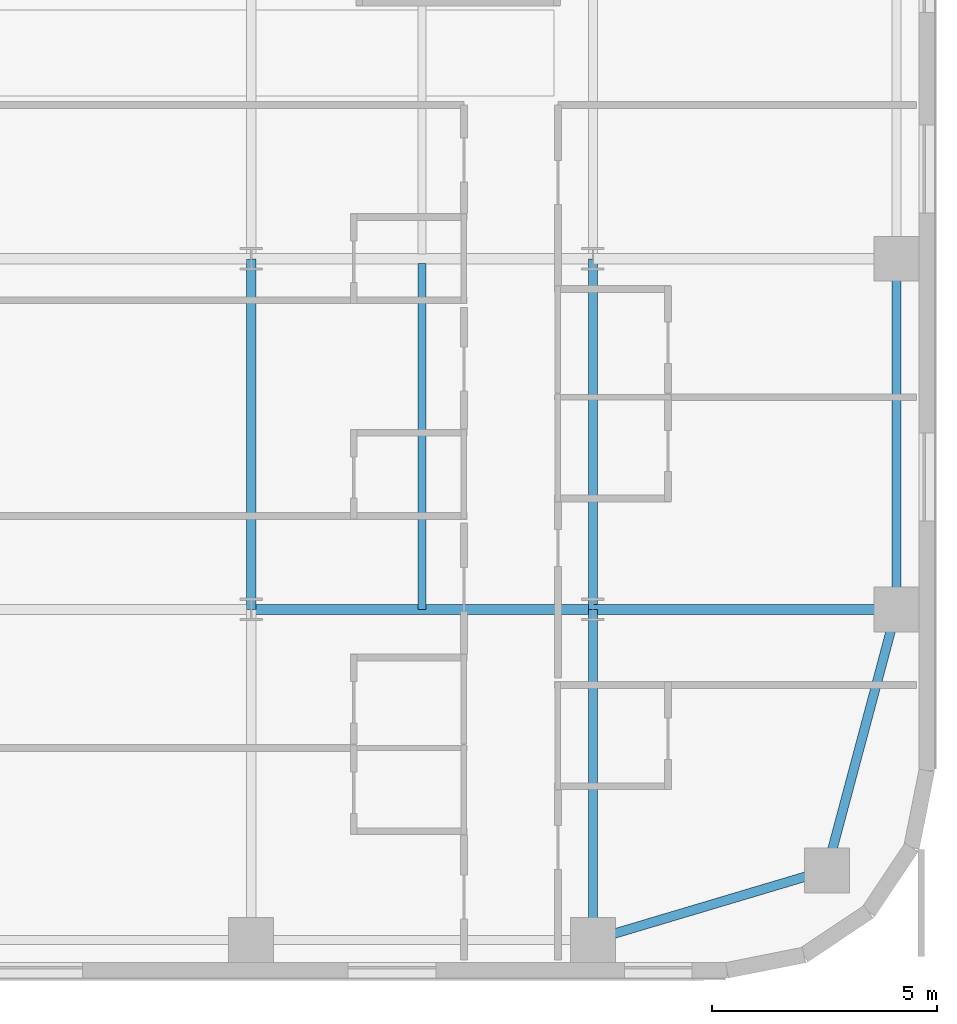
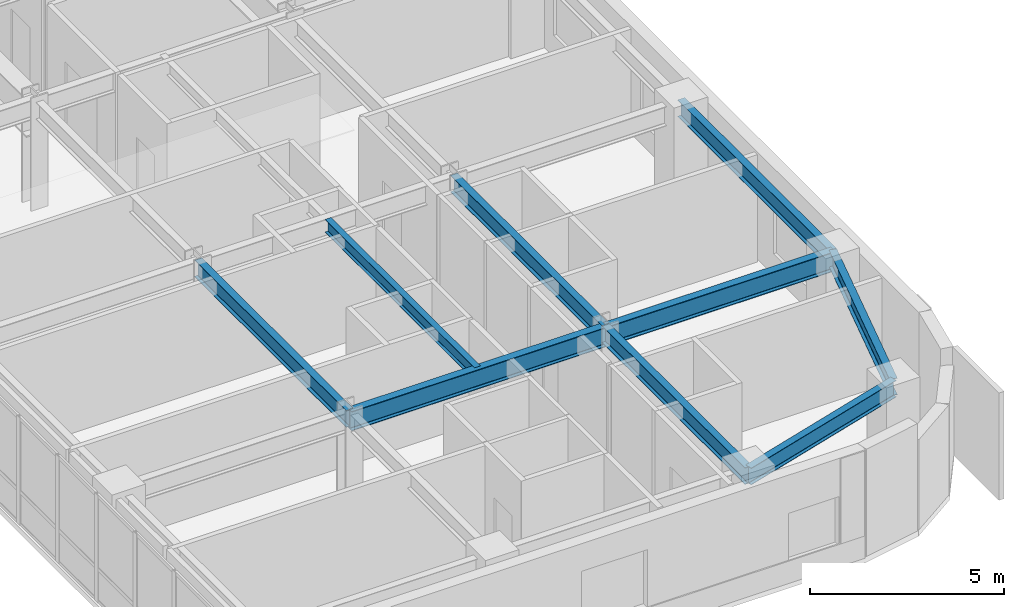
# One storey, part 10 of 25: 9 beams.
"""IFC4 building model written with IfcOpenShell, lengths in metres."""

from ifc_helpers import new_model, si_unit, direction, frame, origin, origin_2d, place, context, subcontext, project, spatial, i_section, extrude, source, transform, mapped, material, material_profile, profile_set, type_object, type_shapes, element, save


model = new_model("IFC4")

# Units and contexts
model_context = context("Model", 3, precision=1e-05, world=origin(), true_north=direction((0.0, 1.0)))
body_context = subcontext(model_context, "Body", "Model", "MODEL_VIEW")
ifc_project = project(units=[si_unit("LENGTHUNIT", "METRE"), si_unit("AREAUNIT", "SQUARE_METRE"), si_unit("VOLUMEUNIT", "CUBIC_METRE"), si_unit("PLANEANGLEUNIT", "RADIAN"), si_unit("MASSUNIT", "GRAM", prefix="KILO")], contexts=[model_context])

# Site, building, storey
site_placement = place(None, origin())
site = spatial("IfcSite", under=ifc_project, at=site_placement, CompositionType="ELEMENT")
building_placement = place(site_placement, origin())
building = spatial("IfcBuilding", under=site, at=building_placement, Name="Tolvann Quenvar Hotel", CompositionType="ELEMENT")
storey_placement = place(building_placement, frame((0.0, 0.0, 46.199951171875)))
storey = spatial("IfcBuildingStorey", under=building, at=storey_placement, Name="L10", CompositionType="ELEMENT", Elevation=46.199951171875)

# Beams
ifc_material = material(Name="Steel Grade 350", Category="steel")
ifc_material_profile_1 = material_profile(ifc_material, i_section(OverallWidth=0.208984375, OverallDepth=0.528076171875, WebThickness=0.009521484375, FlangeThickness=0.01318359375, FilletRadius=0.013916015625, at=origin_2d()), Name="530UB82")
ifc_profile_set_1 = profile_set([ifc_material_profile_1], Name="Steel Grade 350")
beam_type_1 = type_object("IfcBeamType", Name="BM_SPAND_530UB82", PredefinedType="SPANDREL", material=ifc_profile_set_1)
shared_shape_1 = source(origin(), body_context, "Body", "SweptSolid", [
    extrude(i_section(OverallWidth=0.208984375, OverallDepth=0.528076171875, WebThickness=0.009521484375, FlangeThickness=0.01318359375, FilletRadius=0.013916015625, at=origin_2d()), origin(), (0.0, 0.0, 1.0), 5.42626953125),
])
beam_1_placement = place(storey_placement, frame((49.39990234375, 0.85009765625, 3.10595703125), z_axis=(0.958344815522, 0.285613750654, 0.0), x_axis=(-0.285613750654, 0.958344815522, 0.0)))
element("IfcBeam", 1, at=beam_1_placement, inside=storey, type_object=beam_type_1, Name="BM-L10-EW-2-I2-J2", PredefinedType="SPANDREL", context=body_context, shape_type="MappedRepresentation", body=[
    mapped(shared_shape_1, transform((0.0, 0.0, 0.0), x_axis=(1.0, 0.0, 0.0), y_axis=(0.0, 1.0, 0.0), z_axis=(0.0, 0.0, 1.0), scale=1.0)),
])
ifc_material_profile_2 = material_profile(ifc_material, i_section(OverallWidth=0.22900390625, OverallDepth=0.612060546875, WebThickness=0.011962890625, FlangeThickness=0.01953125, FilletRadius=0.013916015625, at=origin_2d()), Name="610UB125")
ifc_profile_set_2 = profile_set([ifc_material_profile_2], Name="Steel Grade 350")
beam_type_2 = type_object("IfcBeamType", Name="BM_GIRD_610UB125", PredefinedType="BEAM", material=ifc_profile_set_2)
shared_shape_2 = source(origin(), body_context, "Body", "SweptSolid", [
    extrude(i_section(OverallWidth=0.22900390625, OverallDepth=0.612060546875, WebThickness=0.011962890625, FlangeThickness=0.01953125, FilletRadius=0.013916015625, at=origin_2d()), origin(), (0.0, 0.0, 1.0), 6.75),
])
beam_2_placement = place(storey_placement, frame((49.39990234375, 8.199951171875, 3.06396484375), z_axis=(1.0, 0.0, 0.0), x_axis=(0.0, 1.0, 0.0)))
element("IfcBeam", 2, at=beam_2_placement, inside=storey, type_object=beam_type_2, Name="BM-L10-EW-3-I3-J3", PredefinedType="BEAM", context=body_context, shape_type="MappedRepresentation", body=[
    mapped(shared_shape_2, transform((0.0, 0.0, 0.0), x_axis=(1.0, 0.0, 0.0), y_axis=(0.0, 1.0, 0.0), z_axis=(0.0, 0.0, 1.0), scale=1.0)),
])
shared_shape_3 = source(origin(), body_context, "Body", "SweptSolid", [
    extrude(i_section(OverallWidth=0.22900390625, OverallDepth=0.612060546875, WebThickness=0.011962890625, FlangeThickness=0.01953125, FilletRadius=0.013916015625, at=origin_2d()), origin(), (0.0, 0.0, 1.0), 7.599853515625),
])
type_shapes(beam_type_2, [shared_shape_2, shared_shape_3])
beam_3_placement = place(storey_placement, frame((41.800048828125, 8.199951171875, 3.06396484375), z_axis=(1.0, 0.0, 0.0), x_axis=(0.0, 1.0, 0.0)))
element("IfcBeam", 3, at=beam_3_placement, inside=storey, type_object=beam_type_2, Name="BM-L10-EW-3-H3-I3", PredefinedType="BEAM", context=body_context, shape_type="MappedRepresentation", body=[
    mapped(shared_shape_3, transform((0.0, 0.0, 0.0), x_axis=(1.0, 0.0, 0.0), y_axis=(0.0, 1.0, 0.0), z_axis=(0.0, 0.0, 1.0), scale=1.0)),
])
shared_shape_4 = source(origin(), body_context, "Body", "SweptSolid", [
    extrude(i_section(OverallWidth=0.208984375, OverallDepth=0.528076171875, WebThickness=0.009521484375, FlangeThickness=0.01318359375, FilletRadius=0.013916015625, at=origin_2d()), origin(), (0.0, 0.0, 1.0), 6.00341796875),
])
beam_4_placement = place(storey_placement, frame((54.60009765625, 2.39990234375, 3.10595703125), z_axis=(0.258148586649, 0.966105225745, 0.0), x_axis=(-0.966105225745, 0.258148586649, 0.0)))
element("IfcBeam", 4, at=beam_4_placement, inside=storey, type_object=beam_type_1, Name="BM-L10-NS-J2-J3", PredefinedType="SPANDREL", context=body_context, shape_type="MappedRepresentation", body=[
    mapped(shared_shape_4, transform((0.0, 0.0, 0.0), x_axis=(1.0, 0.0, 0.0), y_axis=(0.0, 1.0, 0.0), z_axis=(0.0, 0.0, 1.0), scale=1.0)),
])
shared_shape_5 = source(origin(), body_context, "Body", "SweptSolid", [
    extrude(i_section(OverallWidth=0.208984375, OverallDepth=0.528076171875, WebThickness=0.009521484375, FlangeThickness=0.01318359375, FilletRadius=0.013916015625, at=origin_2d()), origin(), (0.0, 0.0, 1.0), 7.800048828125),
])
type_shapes(beam_type_1, [shared_shape_1, shared_shape_4, shared_shape_5])
beam_5_placement = place(storey_placement, frame((56.14990234375, 8.199951171875, 3.10595703125), z_axis=(0.0, 1.0, 0.0), x_axis=(-1.0, 0.0, 0.0)))
element("IfcBeam", 5, at=beam_5_placement, inside=storey, type_object=beam_type_1, Name="BM-L10-NS-J3-J4", PredefinedType="SPANDREL", context=body_context, shape_type="MappedRepresentation", body=[
    mapped(shared_shape_5, transform((0.0, 0.0, 0.0), x_axis=(1.0, 0.0, 0.0), y_axis=(0.0, 1.0, 0.0), z_axis=(0.0, 0.0, 1.0), scale=1.0)),
])
ifc_material_profile_3 = material_profile(ifc_material, i_section(OverallWidth=0.208984375, OverallDepth=0.532958984375, WebThickness=0.01025390625, FlangeThickness=0.015625, FilletRadius=0.013916015625, at=origin_2d()), Name="530UB92")
ifc_profile_set_3 = profile_set([ifc_material_profile_3], Name="Steel Grade 350")
beam_type_3 = type_object("IfcBeamType", Name="BM_GIRD_530UB92", PredefinedType="BEAM", material=ifc_profile_set_3)
shared_shape_6 = source(origin(), body_context, "Body", "SweptSolid", [
    extrude(i_section(OverallWidth=0.208984375, OverallDepth=0.532958984375, WebThickness=0.01025390625, FlangeThickness=0.015625, FilletRadius=0.013916015625, at=origin_2d()), origin(), (0.0, 0.0, 1.0), 7.349853515625),
])
beam_6_placement = place(storey_placement, frame((49.39990234375, 0.85009765625, 3.103515625), z_axis=(0.0, 1.0, 0.0), x_axis=(-1.0, 0.0, 0.0)))
element("IfcBeam", 6, at=beam_6_placement, inside=storey, type_object=beam_type_3, Name="BM-L10-NS-I2-I3", PredefinedType="BEAM", context=body_context, shape_type="MappedRepresentation", body=[
    mapped(shared_shape_6, transform((0.0, 0.0, 0.0), x_axis=(1.0, 0.0, 0.0), y_axis=(0.0, 1.0, 0.0), z_axis=(0.0, 0.0, 1.0), scale=1.0)),
])
shared_shape_7 = source(origin(), body_context, "Body", "SweptSolid", [
    extrude(i_section(OverallWidth=0.208984375, OverallDepth=0.532958984375, WebThickness=0.01025390625, FlangeThickness=0.015625, FilletRadius=0.013916015625, at=origin_2d()), origin(), (0.0, 0.0, 1.0), 7.800048828125),
])
type_shapes(beam_type_3, [shared_shape_6, shared_shape_7])
for number, where, z_axis, x_axis, name in (
    (7, (41.800048828125, 8.199951171875, 3.103515625), (0.0, 1.0, 0.0), (-1.0, 0.0, 0.0), "BM-L10-NS-H3-H4"),
    (8, (49.39990234375, 8.199951171875, 3.103515625), (0.0, 1.0, 0.0), (-1.0, 0.0, 0.0), "BM-L10-NS-I3-I4"),
):
    element("IfcBeam", number, at=place(storey_placement, frame(where, z_axis=z_axis, x_axis=x_axis)), inside=storey, type_object=beam_type_3, Name=name, PredefinedType="BEAM", context=body_context, shape_type="MappedRepresentation", body=[
        mapped(shared_shape_7, transform((0.0, 0.0, 0.0), x_axis=(1.0, 0.0, 0.0), y_axis=(0.0, 1.0, 0.0), z_axis=(0.0, 0.0, 1.0), scale=1.0)),
    ])
ifc_material_profile_4 = material_profile(ifc_material, i_section(OverallWidth=0.177978515625, OverallDepth=0.406005859375, WebThickness=0.0078125, FlangeThickness=0.0126953125, FilletRadius=0.011474609375, at=origin_2d()), Name="410UB60")
ifc_profile_set_4 = profile_set([ifc_material_profile_4], Name="Steel Grade 350")
beam_type_4 = type_object("IfcBeamType", Name="BM_JOIST_410UB60", PredefinedType="JOIST", material=ifc_profile_set_4)
shared_shape_8 = source(origin(), body_context, "Body", "SweptSolid", [
    extrude(i_section(OverallWidth=0.177978515625, OverallDepth=0.406005859375, WebThickness=0.0078125, FlangeThickness=0.0126953125, FilletRadius=0.011474609375, at=origin_2d()), origin(), (0.0, 0.0, 1.0), 7.691650390625),
])
type_shapes(beam_type_4, [shared_shape_8])
beam_7_placement = place(storey_placement, frame((45.60009765625, 8.199951171875, 3.1669921875), z_axis=(0.0, 1.0, 0.0), x_axis=(-1.0, 0.0, 0.0)))
element("IfcBeam", 9, at=beam_7_placement, inside=storey, type_object=beam_type_4, Name="BJ-L10-456-82", PredefinedType="JOIST", context=body_context, shape_type="MappedRepresentation", body=[
    mapped(shared_shape_8, transform((0.0, 0.0, 0.0), x_axis=(1.0, 0.0, 0.0), y_axis=(0.0, 1.0, 0.0), z_axis=(0.0, 0.0, 1.0), scale=1.0)),
])

save(model, "model.ifc")
